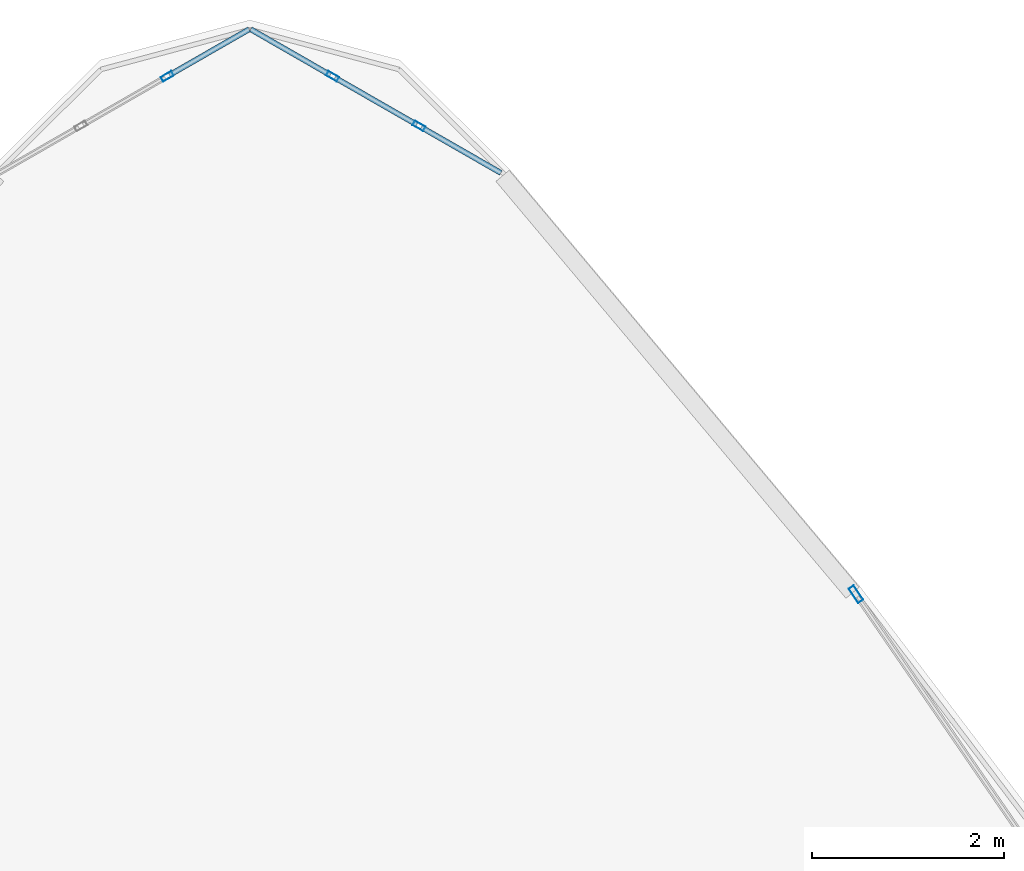
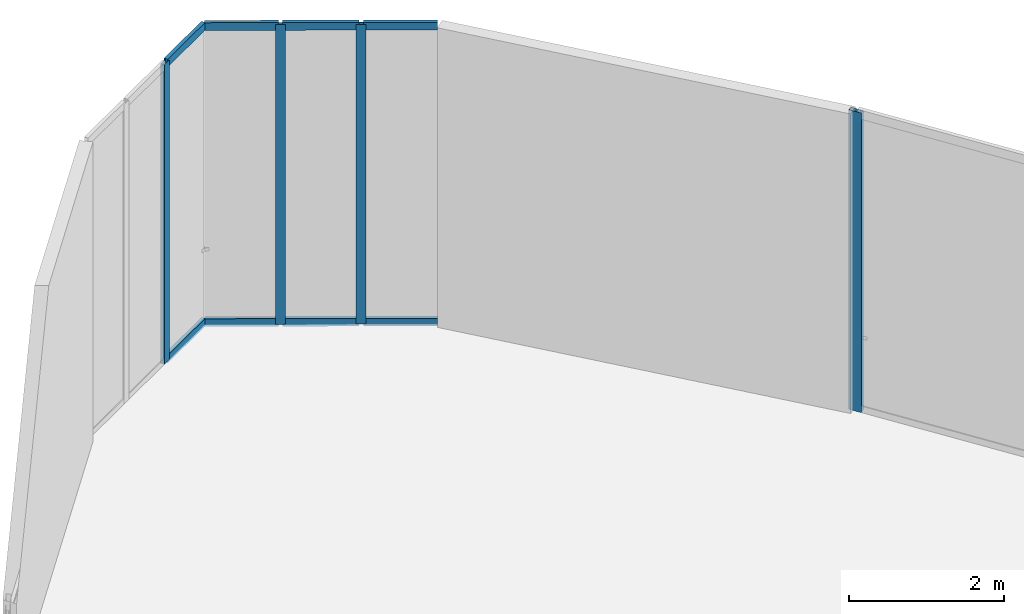
# One storey, part 26 of 33: 12 members, 3 elements without a shape of their own.
"""IFC4 building model written with IfcOpenShell, lengths in metres."""

from ifc_helpers import new_model, si_unit, direction, frame, origin, origin_2d, place, context, subcontext, project, spatial, hollow_rectangle, extrude, source, transform, mapped, material, layer, layer_set, material_profile, profile_set, type_object, element, aggregate, save


model = new_model("IFC4")

# Units and contexts
model_context = context("Model", 3, precision=1e-05, world=origin(), true_north=direction((0.0, 1.0)))
body_context = subcontext(model_context, "Body", "Model", "MODEL_VIEW")
ifc_project = project(units=[si_unit("LENGTHUNIT", "METRE"), si_unit("AREAUNIT", "SQUARE_METRE"), si_unit("VOLUMEUNIT", "CUBIC_METRE"), si_unit("PLANEANGLEUNIT", "RADIAN"), si_unit("MASSUNIT", "GRAM", prefix="KILO"), si_unit("THERMODYNAMICTEMPERATUREUNIT", "KELVIN"), si_unit("POWERUNIT", "WATT")], contexts=[model_context])

# Site, building, storey
site_placement = place(None, origin())
site = spatial("IfcSite", under=ifc_project, at=site_placement, CompositionType="ELEMENT")
building_placement = place(site_placement, origin())
building = spatial("IfcBuilding", under=site, at=building_placement, Name="Yunzhuo Pagoda Commons", CompositionType="ELEMENT")
storey_placement = place(building_placement, frame((0.0, 0.0, 391.760009765625)))
storey = spatial("IfcBuildingStorey", under=building, at=storey_placement, Name="L97", CompositionType="ELEMENT", Elevation=391.760009765625)

# Curtain wall, member
ifc_material = material(Name="Anodized aluminium 6063-T6", Category="aluminium")
ifc_layer_1 = layer(ifc_material, 0.179931640625)
ifc_layer_set_1 = layer_set([ifc_layer_1], Name="Anodized aluminium 6063-T6")
curtain_wall_type_1 = type_object("IfcCurtainWallType", Name="CW-CRN Crown Gable Glazing System", PredefinedType="NOTDEFINED", material=ifc_layer_set_1)
curtain_wall_1_placement = place(storey_placement, origin())
curtain_wall_1 = element("IfcCurtainWall", 1, at=curtain_wall_1_placement, inside=storey, type_object=curtain_wall_type_1, Name="L97 curtain wall CW-L97-CRNF2G2", PredefinedType="NOTDEFINED")
ifc_material_profile_1 = material_profile(ifc_material, hollow_rectangle(XDim=0.06494140625, YDim=0.179931640625, WallThickness=0.00390625, at=origin_2d()), Name="Anodized aluminium 6063-T6")
ifc_profile_set_1 = profile_set([ifc_material_profile_1], Name="Anodized aluminium 6063-T6")
member_type_1 = type_object("IfcMemberType", Name="CW-CRN-M Mullion RHS 180x65x4", PredefinedType="MULLION", material=ifc_profile_set_1)
shared_shape_1 = source(origin(), body_context, "Body", "SweptSolid", [
    extrude(hollow_rectangle(XDim=0.06494140625, YDim=0.179931640625, WallThickness=0.00390625, at=origin_2d()), origin(), (0.0, 0.0, 1.0), 4.72021484375),
])
member_1_placement = place(storey_placement, frame((54.32080078125, 64.46875, 0.0), z_axis=(0.0, 0.0, 1.0), x_axis=(-0.824296116005, -0.566158911561, 0.0)))
member_1 = element("IfcMember", 2, at=member_1_placement, type_object=member_type_1, Name="CW mullion 5", PredefinedType="MULLION", context=body_context, shape_type="MappedRepresentation", body=[
    mapped(shared_shape_1, transform((0.0, 0.0, 0.0), scale=1.0)),
])
aggregate(curtain_wall_1, [member_1])

# Curtain wall, members
ifc_layer_2 = layer(ifc_material, 0.1298828125)
ifc_layer_set_2 = layer_set([ifc_layer_2], Name="Anodized aluminium 6063-T6")
curtain_wall_type_2 = type_object("IfcCurtainWallType", Name="CW-VTX Rounded Corner Curtain Wall", PredefinedType="NOTDEFINED", material=ifc_layer_set_2)
curtain_wall_2_placement = place(storey_placement, origin())
curtain_wall_2 = element("IfcCurtainWall", 3, at=curtain_wall_2_placement, inside=storey, type_object=curtain_wall_type_2, Name="L97 curtain wall CW-L97-CRNV3S1", PredefinedType="NOTDEFINED")
ifc_material_profile_2 = material_profile(ifc_material, hollow_rectangle(XDim=0.054931640625, YDim=0.1298828125, WallThickness=0.00341796875, at=origin_2d()), Name="Anodized aluminium 6063-T6")
ifc_profile_set_2 = profile_set([ifc_material_profile_2], Name="Anodized aluminium 6063-T6")
member_type_2 = type_object("IfcMemberType", Name="CW-VTX-M Mullion RHS 130x55x3.5", PredefinedType="MULLION", material=ifc_profile_set_2)
shared_shape_2 = source(origin(), body_context, "Body", "SweptSolid", [
    extrude(hollow_rectangle(XDim=0.054931640625, YDim=0.1298828125, WallThickness=0.00341796875, at=origin_2d()), origin(), (0.0, 0.0, 1.0), 4.72021484375),
])
member_2_placement = place(storey_placement, frame((49.763427734375, 69.3525390625, 0.0), z_axis=(0.0, 0.0, 1.0), x_axis=(-0.497936732633, -0.867213359154, 0.0)))
member_2 = element("IfcMember", 4, at=member_2_placement, type_object=member_type_2, Name="CW mullion 2", PredefinedType="MULLION", context=body_context, shape_type="MappedRepresentation", body=[
    mapped(shared_shape_2, transform((0.0, 0.0, 0.0), scale=1.0)),
])
member_3_placement = place(storey_placement, frame((48.86181640625, 69.8701171875, 0.0), z_axis=(0.0, 0.0, 1.0), x_axis=(-0.497936732633, -0.867213359154, 0.0)))
member_3 = element("IfcMember", 5, at=member_3_placement, type_object=member_type_2, Name="CW mullion 3", PredefinedType="MULLION", context=body_context, shape_type="MappedRepresentation", body=[
    mapped(shared_shape_2, transform((0.0, 0.0, 0.0), scale=1.0)),
])

# Curtain wall, member
curtain_wall_3_placement = place(storey_placement, origin())
curtain_wall_3 = element("IfcCurtainWall", 6, at=curtain_wall_3_placement, inside=storey, type_object=curtain_wall_type_2, Name="L97 curtain wall CW-L97-CRNV3S2", PredefinedType="NOTDEFINED")
member_4_placement = place(storey_placement, frame((47.13818359375, 69.8701171875, 0.0), z_axis=(0.0, 0.0, 1.0), x_axis=(0.497936732633, -0.867213359154, 0.0)))
member_4 = element("IfcMember", 7, at=member_4_placement, type_object=member_type_2, Name="CW mullion 2", PredefinedType="MULLION", context=body_context, shape_type="MappedRepresentation", body=[
    mapped(shared_shape_2, transform((0.0, 0.0, 0.0), scale=1.0)),
])

# Member
ifc_material_profile_3 = material_profile(ifc_material, hollow_rectangle(XDim=0.054931640625, YDim=0.1201171875, WallThickness=0.00341796875, at=origin_2d()), Name="Anodized aluminium 6063-T6")
ifc_profile_set_3 = profile_set([ifc_material_profile_3], Name="Anodized aluminium 6063-T6")
member_type_3 = type_object("IfcMemberType", Name="CW-VTX-T Transom RHS 120x55x3.5", PredefinedType="USERDEFINED", material=ifc_profile_set_3)
shared_shape_3 = source(origin(), body_context, "Body", "SweptSolid", [
    extrude(hollow_rectangle(XDim=0.054931640625, YDim=0.1201171875, WallThickness=0.00341796875, at=origin_2d()), origin(), (0.0, 0.0, 1.0), 0.95703125),
])
member_5_placement = place(storey_placement, frame((50.617431640625, 68.8623046875, 0.027587890625), z_axis=(-0.867173527489, 0.498006097575, 0.0), x_axis=(-0.498006097575, -0.867173527489, 0.0)))
member_5 = element("IfcMember", 8, at=member_5_placement, type_object=member_type_3, Name="CW transom 1.1", ObjectType="TRANSOM", PredefinedType="USERDEFINED", context=body_context, shape_type="MappedRepresentation", body=[
    mapped(shared_shape_3, transform((0.0, 0.0, 0.0), scale=1.0)),
])

member_6_placement = place(storey_placement, frame((50.617431640625, 68.8623046875, 4.6923828125), z_axis=(-0.867173527489, 0.498006097575, 0.0), x_axis=(-0.498006097575, -0.867173527489, 0.0)))
member_6 = element("IfcMember", 9, at=member_6_placement, type_object=member_type_3, Name="CW transom 1.2", ObjectType="TRANSOM", PredefinedType="USERDEFINED", context=body_context, shape_type="MappedRepresentation", body=[
    mapped(shared_shape_3, transform((0.0, 0.0, 0.0), scale=1.0)),
])

member_7_placement = place(storey_placement, frame((48.837890625, 69.8837890625, 0.027587890625), z_axis=(-0.867063342111, 0.498197913251, 0.0), x_axis=(-0.498197913251, -0.867063342111, 0.0)))
member_7 = element("IfcMember", 10, at=member_7_placement, type_object=member_type_3, Name="CW transom 3.1", ObjectType="TRANSOM", PredefinedType="USERDEFINED", context=body_context, shape_type="MappedRepresentation", body=[
    mapped(shared_shape_3, transform((0.0, 0.0, 0.0), scale=1.0)),
])

member_8_placement = place(storey_placement, frame((48.837890625, 69.8837890625, 4.6923828125), z_axis=(-0.867063342111, 0.498197913251, 0.0), x_axis=(-0.498197913251, -0.867063342111, 0.0)))
member_8 = element("IfcMember", 11, at=member_8_placement, type_object=member_type_3, Name="CW transom 3.2", ObjectType="TRANSOM", PredefinedType="USERDEFINED", context=body_context, shape_type="MappedRepresentation", body=[
    mapped(shared_shape_3, transform((0.0, 0.0, 0.0), scale=1.0)),
])

shared_shape_4 = source(origin(), body_context, "Body", "SweptSolid", [
    extrude(hollow_rectangle(XDim=0.054931640625, YDim=0.1201171875, WallThickness=0.00341796875, at=origin_2d()), origin(), (0.0, 0.0, 1.0), 0.984619140625),
])
member_9_placement = place(storey_placement, frame((49.739501953125, 69.3662109375, 0.027587890625), z_axis=(-0.867203521123, 0.497953866289, 0.0), x_axis=(-0.497953866289, -0.867203521123, 0.0)))
member_9 = element("IfcMember", 12, at=member_9_placement, type_object=member_type_3, Name="CW transom 2.1", ObjectType="TRANSOM", PredefinedType="USERDEFINED", context=body_context, shape_type="MappedRepresentation", body=[
    mapped(shared_shape_4, transform((0.0, 0.0, 0.0), scale=1.0)),
])

member_10_placement = place(storey_placement, frame((49.739501953125, 69.3662109375, 4.6923828125), z_axis=(-0.867203521123, 0.497953866289, 0.0), x_axis=(-0.497953866289, -0.867203521123, 0.0)))
member_10 = element("IfcMember", 13, at=member_10_placement, type_object=member_type_3, Name="CW transom 2.2", ObjectType="TRANSOM", PredefinedType="USERDEFINED", context=body_context, shape_type="MappedRepresentation", body=[
    mapped(shared_shape_4, transform((0.0, 0.0, 0.0), scale=1.0)),
])

aggregate(curtain_wall_2, [member_2, member_3, member_5, member_6, member_9, member_10, member_7, member_8])

shared_shape_5 = source(origin(), body_context, "Body", "SweptSolid", [
    extrude(hollow_rectangle(XDim=0.054931640625, YDim=0.1201171875, WallThickness=0.00341796875, at=origin_2d()), origin(), (0.0, 0.0, 1.0), 0.95751953125),
])
member_11_placement = place(storey_placement, frame((47.992431640625, 70.360595703125, 0.027587890625), z_axis=(-0.867189887215, -0.497977609448, 0.0), x_axis=(0.497977609448, -0.867189887215, 0.0)))
member_11 = element("IfcMember", 14, at=member_11_placement, type_object=member_type_3, Name="CW transom 1.1", ObjectType="TRANSOM", PredefinedType="USERDEFINED", context=body_context, shape_type="MappedRepresentation", body=[
    mapped(shared_shape_5, transform((0.0, 0.0, 0.0), scale=1.0)),
])

member_12_placement = place(storey_placement, frame((47.992431640625, 70.360595703125, 4.6923828125), z_axis=(-0.867189887215, -0.497977609448, 0.0), x_axis=(0.497977609448, -0.867189887215, 0.0)))
member_12 = element("IfcMember", 15, at=member_12_placement, type_object=member_type_3, Name="CW transom 1.2", ObjectType="TRANSOM", PredefinedType="USERDEFINED", context=body_context, shape_type="MappedRepresentation", body=[
    mapped(shared_shape_5, transform((0.0, 0.0, 0.0), scale=1.0)),
])

aggregate(curtain_wall_3, [member_4, member_11, member_12])

save(model, "model.ifc")
